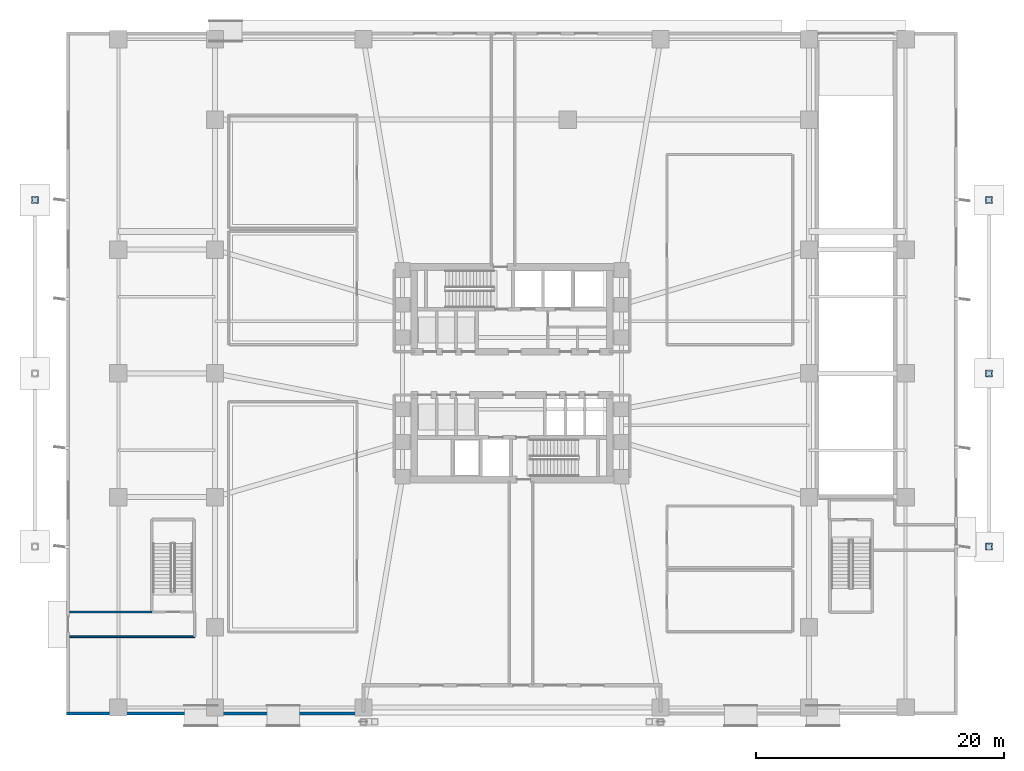
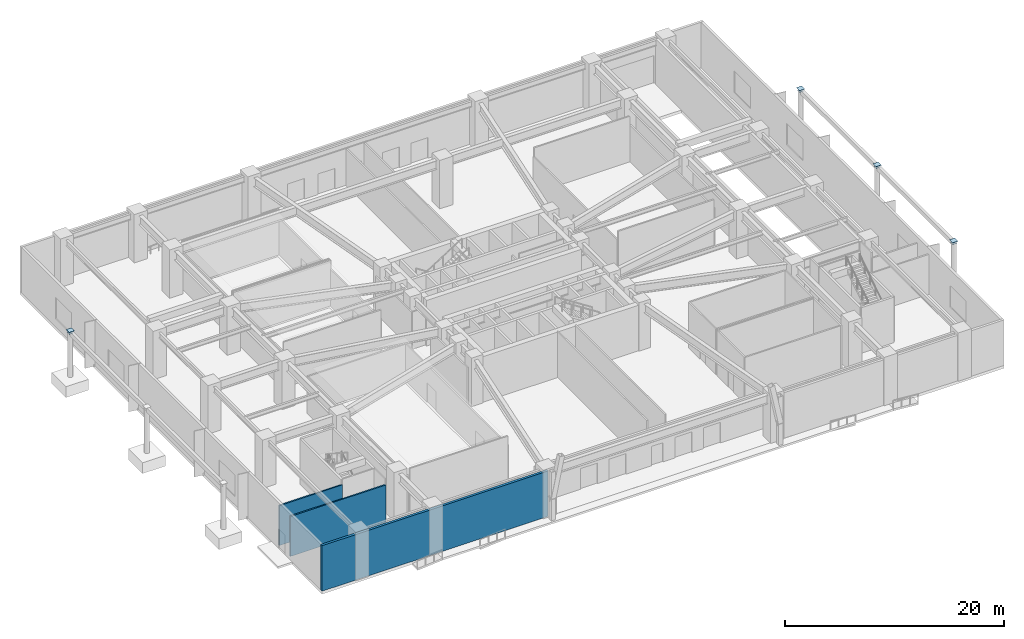
# One storey, part 10 of 20: 8 plates, 3 walls.
"""IFC4 building model written with IfcOpenShell, lengths in metres."""

import ifcopenshell
import ifcopenshell.guid

model = None  # the IFC model being written
_history = None  # IfcOwnerHistory: only IFC2X3 demands one
_inside = {}  # id of a spatial element -> (the spatial element, [elements in it])
_under = {}  # id of a project, library or spatial element -> (it, [spatial elements below it])
_declared = {}  # id of a project -> (the project, [libraries it declares])
_typed = {}  # id of a type object -> (the type object, [elements of that type])
_made_of = {}  # id of a material, layer set ... -> (it, [elements and type objects made of it])


def new_model(schema):
    """Start an empty IFC model of exactly this schema.

    Asked for "IFC4X3", IfcOpenShell would pick the latest addendum, in which some entities
    have other attributes; the version numbers below select the first issue.
    IFC2X3 requires an IfcOwnerHistory on every rooted entity: one is made here for all.
    """
    global model, _history
    if schema == "IFC4X3":
        model = ifcopenshell.file(schema_version=(4, 3, 0, 0))
    else:
        model = ifcopenshell.file(schema=schema)
    _inside.clear()
    _under.clear()
    _declared.clear()
    _typed.clear()
    _made_of.clear()
    _history = None
    if model.schema == "IFC2X3":
        org = make("IfcOrganization", Name="unknown")
        user = make(
            "IfcPersonAndOrganization",
            ThePerson=make("IfcPerson", FamilyName="unknown"),
            TheOrganization=org,
        )
        app = make(
            "IfcApplication",
            ApplicationDeveloper=org,
            Version="unknown",
            ApplicationFullName="unknown",
            ApplicationIdentifier="unknown",
        )
        _history = make(
            "IfcOwnerHistory",
            OwningUser=user,
            OwningApplication=app,
            ChangeAction="ADDED",
            CreationDate=0,
        )
    return model


def make(cls, **values):
    """One entity of the class cls with the attributes given. An attribute that is None is left unset."""
    return model.create_entity(
        cls, **{name: value for name, value in values.items() if value is not None}
    )


def rooted(cls, **values):
    """An entity with a GlobalId (a new one), such as an element, a storey or a relation."""
    return make(cls, GlobalId=ifcopenshell.guid.new(), OwnerHistory=_history, **values)


def si_unit(unit_type, name, prefix=None):
    """IfcSIUnit, for example si_unit("LENGTHUNIT", "METRE", prefix="MILLI")."""
    return make("IfcSIUnit", UnitType=unit_type, Prefix=prefix, Name=name)


def assignment(units):
    """IfcUnitAssignment: the units of a project."""
    return None if units is None else make("IfcUnitAssignment", Units=units)


def point(xyz):
    """IfcCartesianPoint."""
    return None if xyz is None else make("IfcCartesianPoint", Coordinates=xyz)


def direction(xyz):
    """IfcDirection."""
    return None if xyz is None else make("IfcDirection", DirectionRatios=xyz)


def frame(location, z_axis=None, x_axis=None):
    """IfcAxis2Placement3D, a coordinate frame: its origin and axes. An axis left out is left unset."""
    return make(
        "IfcAxis2Placement3D",
        Location=point(location),
        Axis=direction(z_axis),
        RefDirection=direction(x_axis),
    )


def frame_2d(location, x_axis=None):
    """IfcAxis2Placement2D, a coordinate frame in the plane: its origin and x axis."""
    return make(
        "IfcAxis2Placement2D", Location=point(location), RefDirection=direction(x_axis)
    )


def origin():
    """The frame at (0, 0, 0) with its axes left unset."""
    return frame((0.0, 0.0, 0.0))


def origin_2d():
    """The frame at (0, 0) in the plane with its x axis left unset."""
    return frame_2d((0.0, 0.0))


def place(relative_to, where):
    """IfcLocalPlacement: puts the frame where relative to a parent placement (None: the world)."""
    return make(
        "IfcLocalPlacement", PlacementRelTo=relative_to, RelativePlacement=where
    )


def context(
    kind, dimensions, precision=None, world=None, true_north=None, identifier=None
):
    """IfcGeometricRepresentationContext, for example the 3D "Model" context."""
    return make(
        "IfcGeometricRepresentationContext",
        ContextIdentifier=identifier,
        ContextType=kind,
        CoordinateSpaceDimension=dimensions,
        Precision=precision,
        WorldCoordinateSystem=world,
        TrueNorth=true_north,
    )


def subcontext(parent, identifier, kind, view, scale=None):
    """IfcGeometricRepresentationSubContext, for example "Body" below "Model"."""
    return make(
        "IfcGeometricRepresentationSubContext",
        ContextIdentifier=identifier,
        ContextType=kind,
        ParentContext=parent,
        TargetScale=scale,
        TargetView=view,
    )


def project(units=None, contexts=None):
    """IfcProject with its units and contexts."""
    return rooted(
        "IfcProject",
        Name="project",
        RepresentationContexts=contexts,
        UnitsInContext=assignment(units),
    )


def spatial(cls, under=None, at=None, **own):
    """A site, building, storey or space (cls), placed at a placement, below another one or the project."""
    s = rooted(cls, ObjectPlacement=at, **own)
    if under is not None:
        _under.setdefault(under.id(), (under, []))[1].append(s)
    return s


def profile(cls, at=None, kind="AREA", **sizes):
    """A parametric profile (cls). Its sizes go by their IFC names, for example OverallWidth=200.0."""
    return make(cls, ProfileType=kind, Position=at, **sizes)


def rectangle(**sizes):
    """IfcRectangleProfileDef."""
    return profile("IfcRectangleProfileDef", **sizes)


def extrude(swept, where, along, depth):
    """IfcExtrudedAreaSolid: the profile swept, set in the frame where, extruded along a direction by depth."""
    return make(
        "IfcExtrudedAreaSolid",
        SweptArea=swept,
        Position=where,
        ExtrudedDirection=direction(along),
        Depth=depth,
    )


def shape(context_of_items, identifier, shape_type, items):
    """IfcShapeRepresentation: the items that make up one representation, for example the "Body"."""
    return make(
        "IfcShapeRepresentation",
        ContextOfItems=context_of_items,
        RepresentationIdentifier=identifier,
        RepresentationType=shape_type,
        Items=items,
    )


def material(Name=None, Category=None):
    """IfcMaterial."""
    return make("IfcMaterial", Name=Name, Category=Category)


def layer(
    of_material, thickness, ventilated=None, Name=None, Category=None, Priority=None
):
    """IfcMaterialLayer: one layer of a wall or slab, of a material (None: an air gap)."""
    return make(
        "IfcMaterialLayer",
        Material=of_material,
        LayerThickness=thickness,
        IsVentilated=ventilated,
        Name=Name,
        Category=Category,
        Priority=Priority,
    )


def layer_set(layers, Name=None):
    """IfcMaterialLayerSet."""
    return make("IfcMaterialLayerSet", MaterialLayers=layers, LayerSetName=Name)


def made_of(thing, what):
    """Note that an element or type object is made of a material, layer set ...; save() writes the relation."""
    if what is not None:
        _made_of.setdefault(what.id(), (what, []))[1].append(thing)
    return thing


def type_object(cls, material=None, **own):
    """A type object (cls), such as IfcWallType, which elements share."""
    return made_of(rooted(cls, **own), material)


def element(
    cls,
    number,
    at=None,
    inside=None,
    cuts=None,
    type_object=None,
    material=None,
    context=None,
    identifier="Body",
    shape_type=None,
    held_by="IfcProductDefinitionShape",
    body=None,
    shapes=None,
    **own,
):
    """One element of the class cls, such as IfcWall. Its Tag is "e" and its number.

    at: its placement. inside: the storey or other place that contains it. cuts: it is an
    opening in that element (IfcRelVoidsElement). A single representation is given by context,
    identifier, shape_type and body (its items); several are given by shapes. held_by: the class
    of the entity that holds the representations. save() writes the other relations.
    """
    e = rooted(cls, Tag="e%d" % number, ObjectPlacement=at, **own)
    if body is not None:
        shapes = [shape(context, identifier, shape_type, body)]
    if shapes is not None:
        e.Representation = make(held_by, Representations=shapes)
    if inside is not None:
        _inside.setdefault(inside.id(), (inside, []))[1].append(e)
    if cuts is not None:
        rooted(
            "IfcRelVoidsElement", RelatingBuildingElement=cuts, RelatedOpeningElement=e
        )
    if type_object is not None:
        _typed.setdefault(type_object.id(), (type_object, []))[1].append(e)
    return made_of(e, material)


def aggregate(whole, parts):
    """IfcRelAggregates: a whole, such as a stair, and the parts it consists of."""
    return rooted("IfcRelAggregates", RelatingObject=whole, RelatedObjects=parts)


def save(model, path):
    """Write the relations noted so far, then the file.

    IfcRelAggregates (storeys below a building ...), IfcRelContainedInSpatialStructure (elements
    in a storey), IfcRelDefinesByType, IfcRelAssociatesMaterial and IfcRelDeclares: one each for
    every whole, place, type object, material and project.
    """
    for whole, parts in _under.values():
        aggregate(whole, parts)
    for where, things in _inside.values():
        rooted(
            "IfcRelContainedInSpatialStructure",
            RelatedElements=things,
            RelatingStructure=where,
        )
    for kind, things in _typed.values():
        rooted("IfcRelDefinesByType", RelatedObjects=things, RelatingType=kind)
    for what, things in _made_of.values():
        rooted("IfcRelAssociatesMaterial", RelatedObjects=things, RelatingMaterial=what)
    for by, libraries in _declared.values():
        rooted("IfcRelDeclares", RelatingContext=by, RelatedDefinitions=libraries)
    model.write(path)


model = new_model("IFC4")

# Units and contexts
model_context = context("Model", 3, precision=1e-05, world=origin(), true_north=direction((0.0, 1.0)))
body_context = subcontext(model_context, "Body", "Model", "MODEL_VIEW")
ifc_project = project(units=[si_unit("LENGTHUNIT", "METRE"), si_unit("AREAUNIT", "SQUARE_METRE"), si_unit("VOLUMEUNIT", "CUBIC_METRE"), si_unit("PLANEANGLEUNIT", "RADIAN"), si_unit("MASSUNIT", "GRAM", prefix="KILO")], contexts=[model_context])

# Site, building, storey
site_placement = place(None, origin())
site = spatial("IfcSite", under=ifc_project, at=site_placement, CompositionType="ELEMENT")
building_placement = place(site_placement, origin())
building = spatial("IfcBuilding", under=site, at=building_placement, Name="Solmarez Civic Tower", CompositionType="ELEMENT")
storey_placement = place(building_placement, origin())
storey = spatial("IfcBuildingStorey", under=building, at=storey_placement, Name="L00", CompositionType="ELEMENT", Elevation=0.0)

# Plates
ifc_material_1 = material(Name="Steel S355", Category="steel")
ifc_layer_1 = layer(ifc_material_1, 0.02392578125)
ifc_layer_set_1 = layer_set([ifc_layer_1], Name="Steel S355")
plate_type_1 = type_object("IfcPlateType", Name="PLT-CAP-380", PredefinedType="USERDEFINED", material=ifc_layer_set_1)
for number, where, z_axis, x_axis, name in (
    (1, (-38.550048828125, 14.0, 4.5380859375), (0.0, 0.0, 1.0), (1.0, 0.0, 0.0), "Steel Member End Cap Plate CAP-BM-CANOPY-W2-1"),
    (2, (38.550048828125, -14.0, 4.5380859375), (0.0, 0.0, 1.0), (1.0, 0.0, 0.0), "Steel Member End Cap Plate CAP-BM-CANOPY-E1-0"),
    (3, (38.550048828125, 0.0, 4.5380859375), (0.0, 0.0, 1.0), (1.0, 0.0, 0.0), "Steel Member End Cap Plate CAP-BM-CANOPY-E1-1"),
    (4, (38.550048828125, 14.0, 4.5380859375), (0.0, 0.0, 1.0), (1.0, 0.0, 0.0), "Steel Member End Cap Plate CAP-BM-CANOPY-E2-1"),
):
    element("IfcPlate", number, at=place(storey_placement, frame(where, z_axis=z_axis, x_axis=x_axis)), inside=storey, type_object=plate_type_1, Name=name, ObjectType="CAP_PLATE", PredefinedType="USERDEFINED", context=body_context, shape_type="SweptSolid", body=[
        extrude(rectangle(XDim=0.419921875, YDim=0.419921875, at=origin_2d()), origin(), (0.0, 0.0, 1.0), 0.02392578125),
    ])
ifc_layer_2 = layer(ifc_material_1, 0.028076171875)
ifc_layer_set_2 = layer_set([ifc_layer_2], Name="Steel S355")
plate_type_2 = type_object("IfcPlateType", Name="PLT-CAP-540", PredefinedType="USERDEFINED", material=ifc_layer_set_2)
for number, where, z_axis, x_axis, name in (
    (5, (-38.550048828125, 14.0, 4.7861328125), (0.0, 0.0, 1.0), (1.0, 0.0, 0.0), "Steel Member End Cap Plate CAP-COL-CANOPY-PF-W3-TOP"),
    (6, (38.550048828125, -14.0, 4.7861328125), (0.0, 0.0, 1.0), (1.0, 0.0, 0.0), "Steel Member End Cap Plate CAP-COL-CANOPY-PF-E1-TOP"),
    (7, (38.550048828125, 0.0, 4.7861328125), (0.0, 0.0, 1.0), (1.0, 0.0, 0.0), "Steel Member End Cap Plate CAP-COL-CANOPY-PF-E2-TOP"),
    (8, (38.550048828125, 14.0, 4.7861328125), (0.0, 0.0, 1.0), (1.0, 0.0, 0.0), "Steel Member End Cap Plate CAP-COL-CANOPY-PF-E3-TOP"),
):
    element("IfcPlate", number, at=place(storey_placement, frame(where, z_axis=z_axis, x_axis=x_axis)), inside=storey, type_object=plate_type_2, Name=name, ObjectType="CAP_PLATE", PredefinedType="USERDEFINED", context=body_context, shape_type="SweptSolid", body=[
        extrude(rectangle(XDim=0.56005859375, YDim=0.56005859375, at=origin_2d()), origin(), (0.0, 0.0, 1.0), 0.028076171875),
    ])

# Walls
ifc_material_2 = material(Name="Precast concrete C40/50", Category="concrete")
ifc_layer_3 = layer(ifc_material_2, 0.260009765625)
ifc_layer_set_3 = layer_set([ifc_layer_3], Name="Precast concrete C40/50")
wall_type_1 = type_object("IfcWallType", Name="WALL-EXT-260", PredefinedType="SOLIDWALL", material=ifc_layer_set_3)
wall_1_placement = place(storey_placement, frame((-12.1298828125, -27.469970703125, 0.0), z_axis=(0.0, 0.0, 1.0), x_axis=(-1.0, 0.0, 0.0)))
element("IfcWall", 9, at=wall_1_placement, inside=storey, type_object=wall_type_1, Name="L00 South Arch Podium Wall EW-SW-L00", PredefinedType="SOLIDWALL", context=body_context, shape_type="SweptSolid", body=[
    extrude(rectangle(XDim=23.8701171875, YDim=0.260009765625, at=frame_2d((11.93505859375, 0.0))), origin(), (0.0, 0.0, 1.0), 5.080078125),
])
ifc_material_3 = material(Name="Gypsum Board Acoustic Steel-Stud Partition", Category="steel")
ifc_layer_4 = layer(ifc_material_3, 0.14990234375)
ifc_layer_set_4 = layer_set([ifc_layer_4], Name="Gypsum Board Acoustic Steel-Stud Partition")
wall_type_2 = type_object("IfcWallType", Name="WALL-INT-FIRE-150", PredefinedType="PARTITIONING", material=ifc_layer_set_4)
wall_2_placement = place(storey_placement, frame((-35.719970703125, -21.280029296875, 0.0), z_axis=(0.0, 0.0, 1.0), x_axis=(1.0, 0.0, 0.0)))
element("IfcWall", 10, at=wall_2_placement, inside=storey, type_object=wall_type_2, Name="L00 Interior Partition EPW-WS-L00", PredefinedType="PARTITIONING", context=body_context, shape_type="SweptSolid", body=[
    extrude(rectangle(XDim=10.080078125, YDim=0.14990234375, at=frame_2d((5.0400390625, 0.0))), origin(), (0.0, 0.0, 1.0), 4.4599609375),
])
wall_3_placement = place(storey_placement, frame((-35.719970703125, -19.280029296875, 0.0), z_axis=(0.0, 0.0, 1.0), x_axis=(1.0, 0.0, 0.0)))
element("IfcWall", 11, at=wall_3_placement, inside=storey, type_object=wall_type_2, Name="L00 Interior Partition EPW-WN-L00", PredefinedType="PARTITIONING", context=body_context, shape_type="SweptSolid", body=[
    extrude(rectangle(XDim=6.639892578125, YDim=0.14990234375, at=frame_2d((3.31982421875, 0.0))), origin(), (0.0, 0.0, 1.0), 4.4599609375),
])

save(model, "model.ifc")
